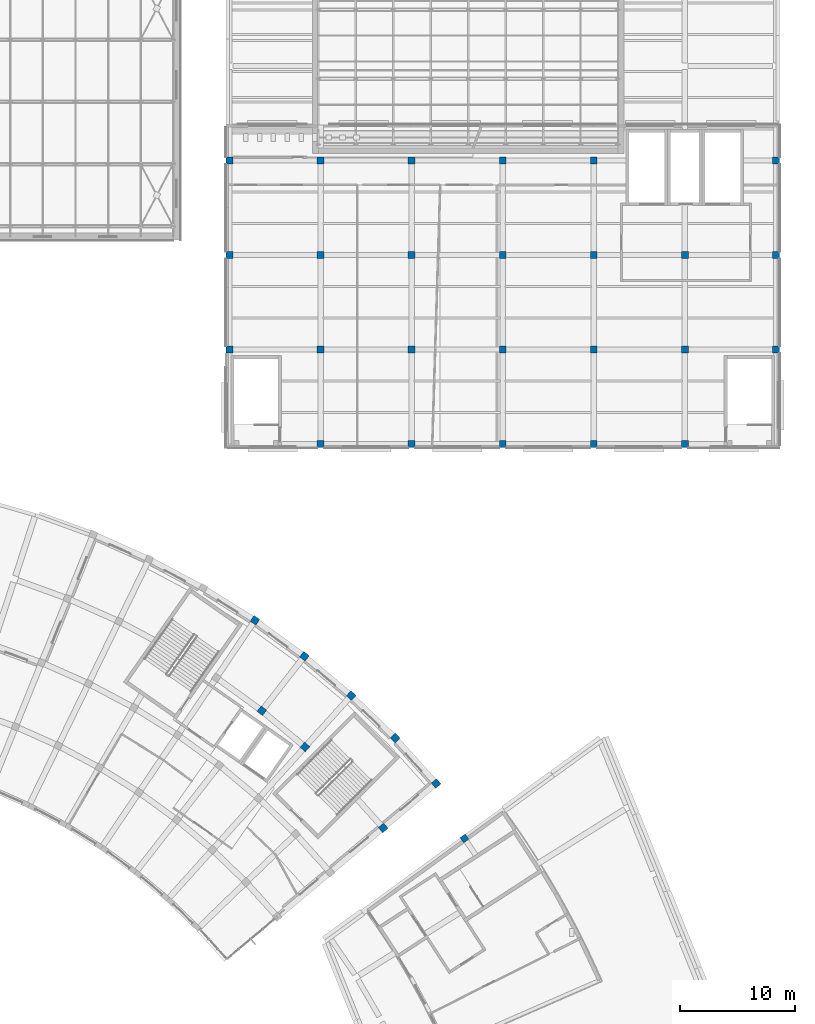
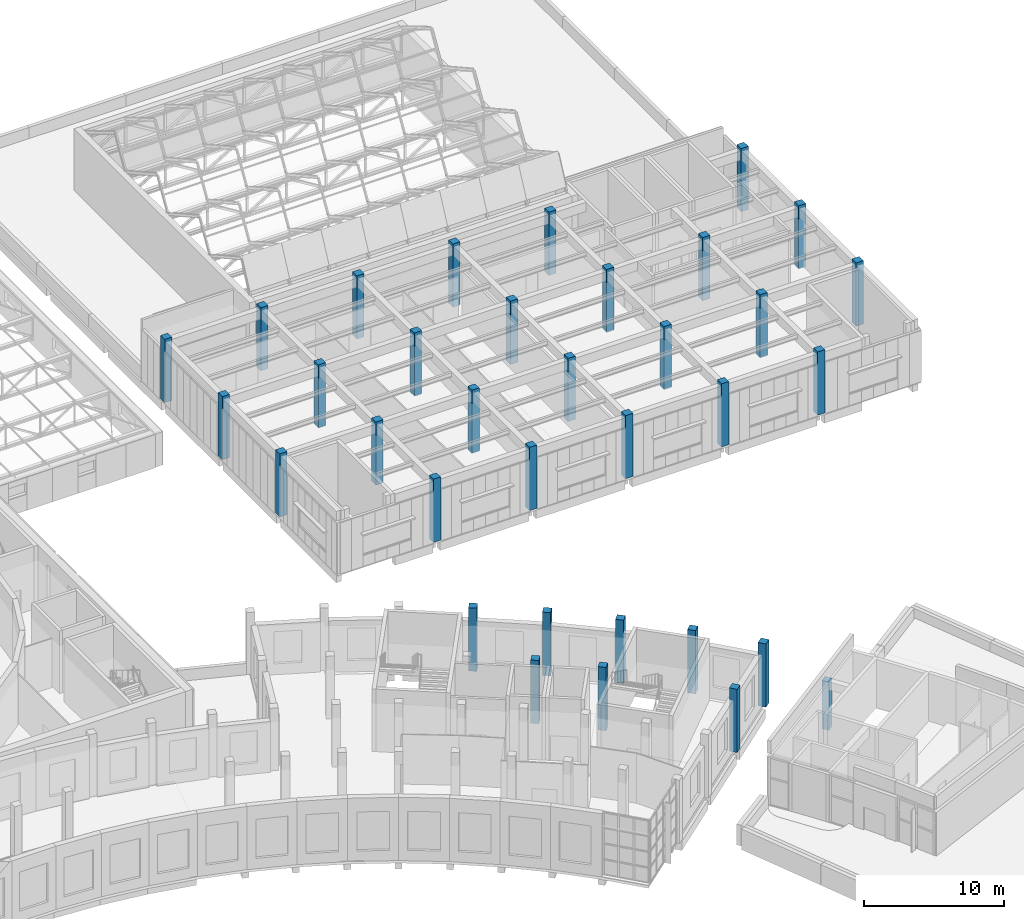
# One storey, part 2 of 132: 34 columns.
"""IFC4 building model written with IfcOpenShell, lengths in metres."""

from ifc_helpers import new_model, si_unit, direction, frame, origin, origin_2d, place, context, subcontext, project, spatial, rectangle, extrude, material, material_profile, profile_set, type_object, element, save


model = new_model("IFC4")

# Units and contexts
model_context = context("Model", 3, precision=1e-05, world=origin(), true_north=direction((0.0, 1.0)))
body_context = subcontext(model_context, "Body", "Model", "MODEL_VIEW")
ifc_project = project(units=[si_unit("LENGTHUNIT", "METRE"), si_unit("AREAUNIT", "SQUARE_METRE"), si_unit("VOLUMEUNIT", "CUBIC_METRE"), si_unit("PLANEANGLEUNIT", "RADIAN"), si_unit("MASSUNIT", "GRAM", prefix="KILO")], contexts=[model_context])

# Site, building, storey
site_placement = place(None, origin())
site = spatial("IfcSite", under=ifc_project, at=site_placement, CompositionType="ELEMENT")
building_placement = place(site_placement, origin())
building = spatial("IfcBuilding", under=site, at=building_placement, Name="Lunette Opera House", CompositionType="ELEMENT")
storey_placement = place(building_placement, frame((0.0, 0.0, 17.0)))
storey = spatial("IfcBuildingStorey", under=building, at=storey_placement, Name="L03", CompositionType="ELEMENT", Elevation=17.0)

# Columns
ifc_material_1 = material(Name="Concrete C35/45", Category="concrete")
ifc_material_profile_1 = material_profile(ifc_material_1, rectangle(XDim=0.550048828125, YDim=0.550048828125, at=origin_2d()), Name="RC COLUMN 550X550")
ifc_profile_set_1 = profile_set([ifc_material_profile_1], Name="Concrete C35/45")
column_type_1 = type_object("IfcColumnType", Name="RC COLUMN 550X550", PredefinedType="COLUMN", material=ifc_profile_set_1)
column_placement = place(storey_placement, frame((156.676025390625, 44.083984375, 0.0), z_axis=(0.0, 0.0, 1.0), x_axis=(0.587785252292, -0.809016994375, 0.0)))
element("IfcColumn", 1, at=column_placement, inside=storey, type_object=column_type_1, Name="col-SB-L03-C10", PredefinedType="COLUMN", context=body_context, shape_type="SweptSolid", body=[
    extrude(rectangle(XDim=0.550048828125, YDim=0.550048828125, at=origin_2d()), origin(), (0.0, 0.0, 1.0), 4.199951171875),
])
ifc_material_2 = material(Name="Concrete C35/45", Category="concrete")
ifc_material_profile_2 = material_profile(ifc_material_2, rectangle(XDim=0.60009765625, YDim=0.60009765625, at=origin_2d()), Name="RC COLUMN 600X600")
ifc_profile_set_2 = profile_set([ifc_material_profile_2], Name="Concrete C35/45")
column_type_2 = type_object("IfcColumnType", Name="RC COLUMN 600X600", PredefinedType="COLUMN", material=ifc_profile_set_2)
for number, where, z_axis, x_axis, name in (
    (2, (139.095947265625, 55.160888671875, 0.0), (0.0, 0.0, 1.0), (0.788010753607, -0.615661475326, 0.0), "col-FC-L03-AR-M2-RL-23"),
    (3, (142.839111328125, 52.02001953125, 0.0), (0.0, 0.0, 1.0), (0.743144825477, -0.669130606359, 0.0), "col-FC-L03-AR-M2-RL-24"),
    (4, (149.623046875, 44.9951171875, 0.0), (0.0, 0.0, 1.0), (0.642787609687, -0.766044443119, 0.0), "col-FC-L03-AR-M2-RL-26"),
    (5, (138.4990234375, 63.007080078125, 0.0), (0.0, 0.0, 1.0), (0.829037572555, -0.559192903471, 0.0), "col-FC-L03-AR-C-RL-22"),
    (6, (142.7900390625, 59.888916015625, 0.0), (0.0, 0.0, 1.0), (0.788010753607, -0.615661475326, 0.0), "col-FC-L03-AR-C-RL-23"),
    (7, (146.85400390625, 56.47900390625, 0.0), (0.0, 0.0, 1.0), (0.743144825477, -0.669130606359, 0.0), "col-FC-L03-AR-C-RL-24"),
    (8, (150.669921875, 52.7939453125, 0.0), (0.0, 0.0, 1.0), (0.694658370459, -0.719339800339, 0.0), "col-FC-L03-AR-C-RL-25"),
    (9, (154.218994140625, 48.85205078125, 0.0), (0.0, 0.0, 1.0), (0.642787609687, -0.766044443119, 0.0), "col-FC-L03-AR-C-RL-26"),
    (10, (136.300048828125, 86.5, 0.0), (0.0, 0.0, 1.0), (1.0, 0.0, 0.0), "col-WW-L03-C01"),
    (11, (136.300048828125, 94.699951171875, 0.0), (0.0, 0.0, 1.0), (1.0, 0.0, 0.0), "col-WW-L03-C02"),
    (12, (136.300048828125, 102.89990234375, 0.0), (0.0, 0.0, 1.0), (1.0, 0.0, 0.0), "col-WW-L03-C03"),
    (13, (144.199951171875, 78.300048828125, 0.0), (0.0, 0.0, 1.0), (1.0, 0.0, 0.0), "col-WW-L03-C10"),
    (14, (144.199951171875, 86.5, 0.0), (0.0, 0.0, 1.0), (1.0, 0.0, 0.0), "col-WW-L03-C11"),
    (15, (144.199951171875, 94.699951171875, 0.0), (0.0, 0.0, 1.0), (1.0, 0.0, 0.0), "col-WW-L03-C12"),
    (16, (144.199951171875, 102.89990234375, 0.0), (0.0, 0.0, 1.0), (1.0, 0.0, 0.0), "col-WW-L03-C13"),
    (17, (152.10009765625, 78.300048828125, 0.0), (0.0, 0.0, 1.0), (1.0, 0.0, 0.0), "col-WW-L03-C20"),
    (18, (152.10009765625, 86.5, 0.0), (0.0, 0.0, 1.0), (1.0, 0.0, 0.0), "col-WW-L03-C21"),
    (19, (152.10009765625, 94.699951171875, 0.0), (0.0, 0.0, 1.0), (1.0, 0.0, 0.0), "col-WW-L03-C22"),
    (20, (152.10009765625, 102.89990234375, 0.0), (0.0, 0.0, 1.0), (1.0, 0.0, 0.0), "col-WW-L03-C23"),
    (21, (160.0, 78.300048828125, 0.0), (0.0, 0.0, 1.0), (1.0, 0.0, 0.0), "col-WW-L03-C30"),
    (22, (160.0, 86.5, 0.0), (0.0, 0.0, 1.0), (1.0, 0.0, 0.0), "col-WW-L03-C31"),
    (23, (160.0, 94.699951171875, 0.0), (0.0, 0.0, 1.0), (1.0, 0.0, 0.0), "col-WW-L03-C32"),
    (24, (160.0, 102.89990234375, 0.0), (0.0, 0.0, 1.0), (1.0, 0.0, 0.0), "col-WW-L03-C33"),
    (25, (167.89990234375, 78.300048828125, 0.0), (0.0, 0.0, 1.0), (1.0, 0.0, 0.0), "col-WW-L03-C40"),
    (26, (167.89990234375, 86.5, 0.0), (0.0, 0.0, 1.0), (1.0, 0.0, 0.0), "col-WW-L03-C41"),
    (27, (167.89990234375, 94.699951171875, 0.0), (0.0, 0.0, 1.0), (1.0, 0.0, 0.0), "col-WW-L03-C42"),
    (28, (167.89990234375, 102.89990234375, 0.0), (0.0, 0.0, 1.0), (1.0, 0.0, 0.0), "col-WW-L03-C43"),
    (29, (175.800048828125, 78.300048828125, 0.0), (0.0, 0.0, 1.0), (1.0, 0.0, 0.0), "col-WW-L03-C50"),
    (30, (175.800048828125, 86.5, 0.0), (0.0, 0.0, 1.0), (1.0, 0.0, 0.0), "col-WW-L03-C51"),
    (31, (175.800048828125, 94.699951171875, 0.0), (0.0, 0.0, 1.0), (1.0, 0.0, 0.0), "col-WW-L03-C52"),
    (32, (183.699951171875, 86.5, 0.0), (0.0, 0.0, 1.0), (1.0, 0.0, 0.0), "col-WW-L03-C61"),
    (33, (183.699951171875, 94.699951171875, 0.0), (0.0, 0.0, 1.0), (1.0, 0.0, 0.0), "col-WW-L03-C62"),
    (34, (183.699951171875, 102.89990234375, 0.0), (0.0, 0.0, 1.0), (1.0, 0.0, 0.0), "col-WW-L03-C63"),
):
    element("IfcColumn", number, at=place(storey_placement, frame(where, z_axis=z_axis, x_axis=x_axis)), inside=storey, type_object=column_type_2, Name=name, PredefinedType="COLUMN", context=body_context, shape_type="SweptSolid", body=[
        extrude(rectangle(XDim=0.60009765625, YDim=0.60009765625, at=origin_2d()), origin(), (0.0, 0.0, 1.0), 5.5),
    ])

save(model, "model.ifc")
